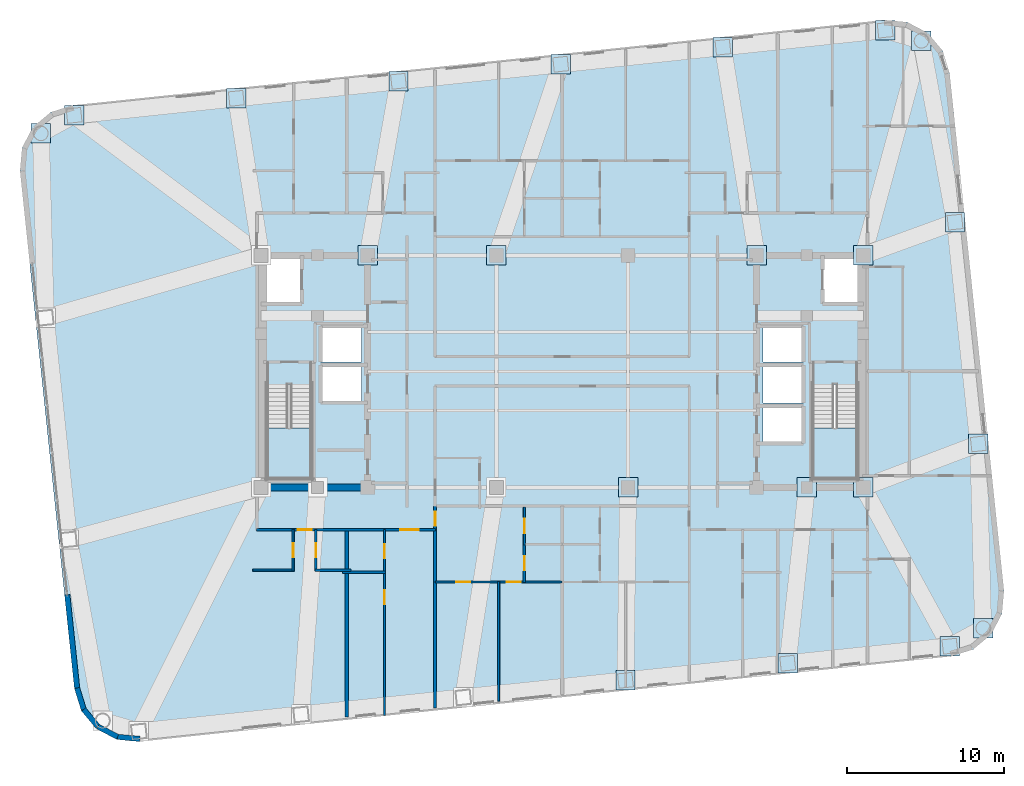
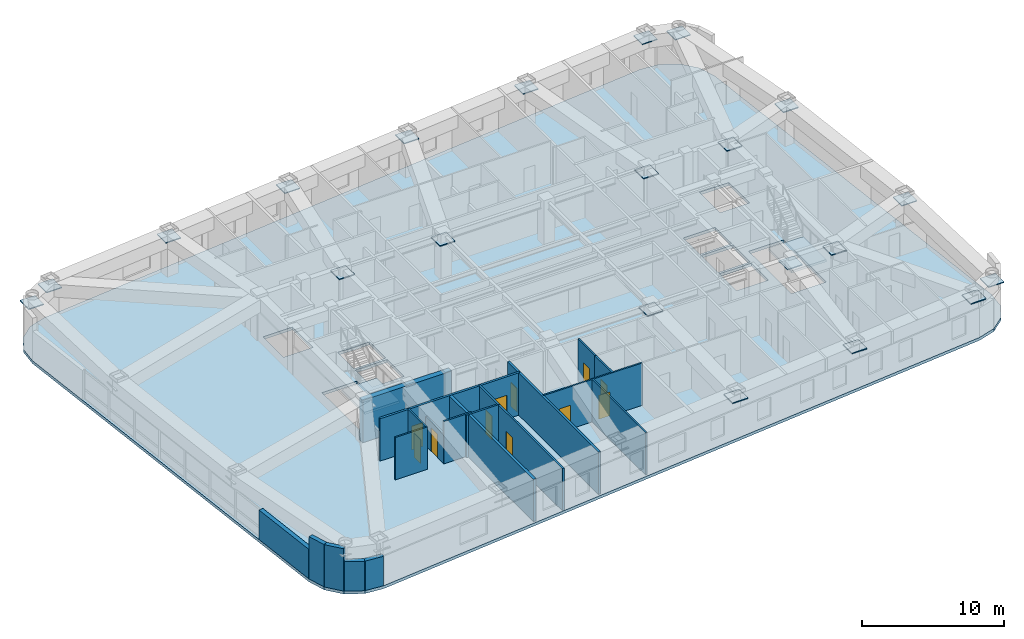
# One storey, part 6 of 14: 21 plates, 20 walls, 11 doors, 3 slabs, 11 openings, 2 elements without a shape of their own.
"""IFC4 building model written with IfcOpenShell, lengths in metres."""

import ifcopenshell
import ifcopenshell.guid

model = None  # the IFC model being written
_history = None  # IfcOwnerHistory: only IFC2X3 demands one
_inside = {}  # id of a spatial element -> (the spatial element, [elements in it])
_under = {}  # id of a project, library or spatial element -> (it, [spatial elements below it])
_declared = {}  # id of a project -> (the project, [libraries it declares])
_typed = {}  # id of a type object -> (the type object, [elements of that type])
_made_of = {}  # id of a material, layer set ... -> (it, [elements and type objects made of it])


def new_model(schema):
    """Start an empty IFC model of exactly this schema.

    Asked for "IFC4X3", IfcOpenShell would pick the latest addendum, in which some entities
    have other attributes; the version numbers below select the first issue.
    IFC2X3 requires an IfcOwnerHistory on every rooted entity: one is made here for all.
    """
    global model, _history
    if schema == "IFC4X3":
        model = ifcopenshell.file(schema_version=(4, 3, 0, 0))
    else:
        model = ifcopenshell.file(schema=schema)
    _inside.clear()
    _under.clear()
    _declared.clear()
    _typed.clear()
    _made_of.clear()
    _history = None
    if model.schema == "IFC2X3":
        org = make("IfcOrganization", Name="unknown")
        user = make(
            "IfcPersonAndOrganization",
            ThePerson=make("IfcPerson", FamilyName="unknown"),
            TheOrganization=org,
        )
        app = make(
            "IfcApplication",
            ApplicationDeveloper=org,
            Version="unknown",
            ApplicationFullName="unknown",
            ApplicationIdentifier="unknown",
        )
        _history = make(
            "IfcOwnerHistory",
            OwningUser=user,
            OwningApplication=app,
            ChangeAction="ADDED",
            CreationDate=0,
        )
    return model


def make(cls, **values):
    """One entity of the class cls with the attributes given. An attribute that is None is left unset."""
    return model.create_entity(
        cls, **{name: value for name, value in values.items() if value is not None}
    )


def rooted(cls, **values):
    """An entity with a GlobalId (a new one), such as an element, a storey or a relation."""
    return make(cls, GlobalId=ifcopenshell.guid.new(), OwnerHistory=_history, **values)


def si_unit(unit_type, name, prefix=None):
    """IfcSIUnit, for example si_unit("LENGTHUNIT", "METRE", prefix="MILLI")."""
    return make("IfcSIUnit", UnitType=unit_type, Prefix=prefix, Name=name)


def assignment(units):
    """IfcUnitAssignment: the units of a project."""
    return None if units is None else make("IfcUnitAssignment", Units=units)


def point(xyz):
    """IfcCartesianPoint."""
    return None if xyz is None else make("IfcCartesianPoint", Coordinates=xyz)


def direction(xyz):
    """IfcDirection."""
    return None if xyz is None else make("IfcDirection", DirectionRatios=xyz)


def frame(location, z_axis=None, x_axis=None):
    """IfcAxis2Placement3D, a coordinate frame: its origin and axes. An axis left out is left unset."""
    return make(
        "IfcAxis2Placement3D",
        Location=point(location),
        Axis=direction(z_axis),
        RefDirection=direction(x_axis),
    )


def frame_2d(location, x_axis=None):
    """IfcAxis2Placement2D, a coordinate frame in the plane: its origin and x axis."""
    return make(
        "IfcAxis2Placement2D", Location=point(location), RefDirection=direction(x_axis)
    )


def origin():
    """The frame at (0, 0, 0) with its axes left unset."""
    return frame((0.0, 0.0, 0.0))


def origin_2d():
    """The frame at (0, 0) in the plane with its x axis left unset."""
    return frame_2d((0.0, 0.0))


def place(relative_to, where):
    """IfcLocalPlacement: puts the frame where relative to a parent placement (None: the world)."""
    return make(
        "IfcLocalPlacement", PlacementRelTo=relative_to, RelativePlacement=where
    )


def context(
    kind, dimensions, precision=None, world=None, true_north=None, identifier=None
):
    """IfcGeometricRepresentationContext, for example the 3D "Model" context."""
    return make(
        "IfcGeometricRepresentationContext",
        ContextIdentifier=identifier,
        ContextType=kind,
        CoordinateSpaceDimension=dimensions,
        Precision=precision,
        WorldCoordinateSystem=world,
        TrueNorth=true_north,
    )


def subcontext(parent, identifier, kind, view, scale=None):
    """IfcGeometricRepresentationSubContext, for example "Body" below "Model"."""
    return make(
        "IfcGeometricRepresentationSubContext",
        ContextIdentifier=identifier,
        ContextType=kind,
        ParentContext=parent,
        TargetScale=scale,
        TargetView=view,
    )


def project(units=None, contexts=None):
    """IfcProject with its units and contexts."""
    return rooted(
        "IfcProject",
        Name="project",
        RepresentationContexts=contexts,
        UnitsInContext=assignment(units),
    )


def spatial(cls, under=None, at=None, **own):
    """A site, building, storey or space (cls), placed at a placement, below another one or the project."""
    s = rooted(cls, ObjectPlacement=at, **own)
    if under is not None:
        _under.setdefault(under.id(), (under, []))[1].append(s)
    return s


def polyline(points):
    """IfcPolyline through the points."""
    return make("IfcPolyline", Points=[point(p) for p in points])


def profile(cls, at=None, kind="AREA", **sizes):
    """A parametric profile (cls). Its sizes go by their IFC names, for example OverallWidth=200.0."""
    return make(cls, ProfileType=kind, Position=at, **sizes)


def rectangle(**sizes):
    """IfcRectangleProfileDef."""
    return profile("IfcRectangleProfileDef", **sizes)


def outline(outer, holes=None, kind="AREA"):
    """IfcArbitraryClosedProfileDef: a profile drawn as a closed curve; with holes, ...WithVoids."""
    if holes is None:
        return make("IfcArbitraryClosedProfileDef", ProfileType=kind, OuterCurve=outer)
    return make(
        "IfcArbitraryProfileDefWithVoids",
        ProfileType=kind,
        OuterCurve=outer,
        InnerCurves=holes,
    )


def extrude(swept, where, along, depth):
    """IfcExtrudedAreaSolid: the profile swept, set in the frame where, extruded along a direction by depth."""
    return make(
        "IfcExtrudedAreaSolid",
        SweptArea=swept,
        Position=where,
        ExtrudedDirection=direction(along),
        Depth=depth,
    )


def shape(context_of_items, identifier, shape_type, items):
    """IfcShapeRepresentation: the items that make up one representation, for example the "Body"."""
    return make(
        "IfcShapeRepresentation",
        ContextOfItems=context_of_items,
        RepresentationIdentifier=identifier,
        RepresentationType=shape_type,
        Items=items,
    )


def material(Name=None, Category=None):
    """IfcMaterial."""
    return make("IfcMaterial", Name=Name, Category=Category)


def layer(
    of_material, thickness, ventilated=None, Name=None, Category=None, Priority=None
):
    """IfcMaterialLayer: one layer of a wall or slab, of a material (None: an air gap)."""
    return make(
        "IfcMaterialLayer",
        Material=of_material,
        LayerThickness=thickness,
        IsVentilated=ventilated,
        Name=Name,
        Category=Category,
        Priority=Priority,
    )


def layer_set(layers, Name=None):
    """IfcMaterialLayerSet."""
    return make("IfcMaterialLayerSet", MaterialLayers=layers, LayerSetName=Name)


def made_of(thing, what):
    """Note that an element or type object is made of a material, layer set ...; save() writes the relation."""
    if what is not None:
        _made_of.setdefault(what.id(), (what, []))[1].append(thing)
    return thing


def type_object(cls, material=None, **own):
    """A type object (cls), such as IfcWallType, which elements share."""
    return made_of(rooted(cls, **own), material)


def element(
    cls,
    number,
    at=None,
    inside=None,
    cuts=None,
    type_object=None,
    material=None,
    context=None,
    identifier="Body",
    shape_type=None,
    held_by="IfcProductDefinitionShape",
    body=None,
    shapes=None,
    **own,
):
    """One element of the class cls, such as IfcWall. Its Tag is "e" and its number.

    at: its placement. inside: the storey or other place that contains it. cuts: it is an
    opening in that element (IfcRelVoidsElement). A single representation is given by context,
    identifier, shape_type and body (its items); several are given by shapes. held_by: the class
    of the entity that holds the representations. save() writes the other relations.
    """
    e = rooted(cls, Tag="e%d" % number, ObjectPlacement=at, **own)
    if body is not None:
        shapes = [shape(context, identifier, shape_type, body)]
    if shapes is not None:
        e.Representation = make(held_by, Representations=shapes)
    if inside is not None:
        _inside.setdefault(inside.id(), (inside, []))[1].append(e)
    if cuts is not None:
        rooted(
            "IfcRelVoidsElement", RelatingBuildingElement=cuts, RelatedOpeningElement=e
        )
    if type_object is not None:
        _typed.setdefault(type_object.id(), (type_object, []))[1].append(e)
    return made_of(e, material)


def fill(opening, filler):
    """IfcRelFillsElement: the door or window that sits in an opening."""
    return rooted(
        "IfcRelFillsElement",
        RelatingOpeningElement=opening,
        RelatedBuildingElement=filler,
    )


def aggregate(whole, parts):
    """IfcRelAggregates: a whole, such as a stair, and the parts it consists of."""
    return rooted("IfcRelAggregates", RelatingObject=whole, RelatedObjects=parts)


def save(model, path):
    """Write the relations noted so far, then the file.

    IfcRelAggregates (storeys below a building ...), IfcRelContainedInSpatialStructure (elements
    in a storey), IfcRelDefinesByType, IfcRelAssociatesMaterial and IfcRelDeclares: one each for
    every whole, place, type object, material and project.
    """
    for whole, parts in _under.values():
        aggregate(whole, parts)
    for where, things in _inside.values():
        rooted(
            "IfcRelContainedInSpatialStructure",
            RelatedElements=things,
            RelatingStructure=where,
        )
    for kind, things in _typed.values():
        rooted("IfcRelDefinesByType", RelatedObjects=things, RelatingType=kind)
    for what, things in _made_of.values():
        rooted("IfcRelAssociatesMaterial", RelatedObjects=things, RelatingMaterial=what)
    for by, libraries in _declared.values():
        rooted("IfcRelDeclares", RelatingContext=by, RelatedDefinitions=libraries)
    model.write(path)


model = new_model("IFC4")

# Units and contexts
model_context = context("Model", 3, precision=1e-05, world=origin(), true_north=direction((0.0, 1.0)))
body_context = subcontext(model_context, "Body", "Model", "MODEL_VIEW")
ifc_project = project(units=[si_unit("LENGTHUNIT", "METRE"), si_unit("AREAUNIT", "SQUARE_METRE"), si_unit("VOLUMEUNIT", "CUBIC_METRE"), si_unit("PLANEANGLEUNIT", "RADIAN"), si_unit("MASSUNIT", "GRAM", prefix="KILO")], contexts=[model_context])

# Site, building, storey
site_placement = place(None, origin())
site = spatial("IfcSite", under=ifc_project, at=site_placement, CompositionType="ELEMENT")
building_placement = place(site_placement, origin())
building = spatial("IfcBuilding", under=site, at=building_placement, Name="Voryun Gate Residences", CompositionType="ELEMENT")
storey_placement = place(building_placement, frame((0.0, 0.0, 144.300048828125)))
storey = spatial("IfcBuildingStorey", under=building, at=storey_placement, Name="L35", CompositionType="ELEMENT", Elevation=144.300048828125)

# Plates
ifc_material_1 = material(Name="Steel SM355", Category="steel")
ifc_layer_1 = layer(ifc_material_1, 0.02490234375, Name="PLT_END_CAP_25")
ifc_layer_set_1 = layer_set([ifc_layer_1], Name="Steel SM355")
plate_type = type_object("IfcPlateType", Name="PLT_END_CAP_25", PredefinedType="USERDEFINED", material=ifc_layer_set_1)
for number, where, z_axis, x_axis, name in (
    (1, (4.035888671875, -19.6982421875, 3.059814453125), (0.0, 0.0, 1.0), (1.0, 0.0, 0.0), "L35 Hollow Member End-Cap Plate EC-501"),
    (2, (14.37890625, -18.611083984375, 3.059814453125), (0.0, 0.0, 1.0), (1.0, 0.0, 0.0), "L35 Hollow Member End-Cap Plate EC-502"),
    (3, (24.721923828125, -17.524169921875, 3.059814453125), (0.0, 0.0, 1.0), (1.0, 0.0, 0.0), "L35 Hollow Member End-Cap Plate EC-503"),
    (4, (26.8408203125, -16.373779296875, 3.059814453125), (0.0, 0.0, 1.0), (1.0, 0.0, 0.0), "L35 Hollow Member End-Cap Plate EC-504"),
    (5, (26.533447265625, -4.6240234375, 3.059814453125), (0.0, 0.0, 1.0), (1.0, 0.0, 0.0), "L35 Hollow Member End-Cap Plate EC-505"),
    (6, (25.047119140625, 9.51806640625, 3.059814453125), (0.0, 0.0, 1.0), (1.0, 0.0, 0.0), "L35 Hollow Member End-Cap Plate EC-506"),
    (7, (22.90478515625, 21.07470703125, 3.059814453125), (0.0, 0.0, 1.0), (1.0, 0.0, 0.0), "L35 Hollow Member End-Cap Plate EC-507"),
    (8, (20.593017578125, 21.759521484375, 3.059814453125), (0.0, 0.0, 1.0), (1.0, 0.0, 0.0), "L35 Hollow Member End-Cap Plate EC-508"),
    (9, (10.25, 20.672607421875, 3.059814453125), (0.0, 0.0, 1.0), (1.0, 0.0, 0.0), "L35 Hollow Member End-Cap Plate EC-509"),
    (10, (-0.093017578125, 19.585205078125, 3.059814453125), (0.0, 0.0, 1.0), (1.0, 0.0, 0.0), "L35 Hollow Member End-Cap Plate EC-510"),
    (11, (-10.43603515625, 18.498291015625, 3.059814453125), (0.0, 0.0, 1.0), (1.0, 0.0, 0.0), "L35 Hollow Member End-Cap Plate EC-511"),
    (12, (-20.779052734375, 17.4111328125, 3.059814453125), (0.0, 0.0, 1.0), (1.0, 0.0, 0.0), "L35 Hollow Member End-Cap Plate EC-512"),
    (13, (-31.1220703125, 16.32421875, 3.059814453125), (0.0, 0.0, 1.0), (1.0, 0.0, 0.0), "L35 Hollow Member End-Cap Plate EC-513"),
    (14, (-33.24072265625, 15.173583984375, 3.059814453125), (0.0, 0.0, 1.0), (1.0, 0.0, 0.0), "L35 Hollow Member End-Cap Plate EC-514"),
    (15, (4.199951171875, -7.39990234375, 3.059814453125), (0.0, 0.0, 1.0), (1.0, 0.0, 0.0), "L35 Hollow Member End-Cap Plate EC-521"),
    (16, (15.60009765625, -7.39990234375, 3.059814453125), (0.0, 0.0, 1.0), (1.0, 0.0, 0.0), "L35 Hollow Member End-Cap Plate EC-522"),
    (17, (19.199951171875, -7.39990234375, 3.059814453125), (0.0, 0.0, 1.0), (1.0, 0.0, 0.0), "L35 Hollow Member End-Cap Plate EC-523"),
    (18, (19.199951171875, 7.39990234375, 3.059814453125), (0.0, 0.0, 1.0), (1.0, 0.0, 0.0), "L35 Hollow Member End-Cap Plate EC-524"),
    (19, (12.39990234375, 7.39990234375, 3.059814453125), (0.0, 0.0, 1.0), (1.0, 0.0, 0.0), "L35 Hollow Member End-Cap Plate EC-525"),
    (20, (-4.199951171875, 7.39990234375, 3.059814453125), (0.0, 0.0, 1.0), (1.0, 0.0, 0.0), "L35 Hollow Member End-Cap Plate EC-526"),
    (21, (-12.39990234375, 7.39990234375, 3.059814453125), (0.0, 0.0, 1.0), (1.0, 0.0, 0.0), "L35 Hollow Member End-Cap Plate EC-527"),
):
    element("IfcPlate", number, at=place(storey_placement, frame(where, z_axis=z_axis, x_axis=x_axis)), inside=storey, type_object=plate_type, Name=name, ObjectType="BASE_PLATE", PredefinedType="USERDEFINED", context=body_context, shape_type="SweptSolid", body=[
        extrude(rectangle(XDim=1.239990234375, YDim=1.239990234375, at=origin_2d()), origin(), (0.0, 0.0, 1.0), 0.080078125),
    ])

# Slab
ifc_material_2 = material(Name="Concrete C40/50", Category="concrete")
ifc_layer_2 = layer(ifc_material_2, 0.25, Name="SLB_RES_250")
ifc_layer_set_2 = layer_set([ifc_layer_2], Name="Concrete C40/50")
slab_type_1 = type_object("IfcSlabType", Name="SLB_RES_250", PredefinedType="FLOOR", material=ifc_layer_set_2)
slab_1_placement = place(storey_placement, frame((0.0, 0.0, -0.25)))
element("IfcSlab", 22, at=slab_1_placement, inside=storey, type_object=slab_type_1, Name="L35 Structural Floor Slab", PredefinedType="FLOOR", context=body_context, shape_type="SweptSolid", body=[
    extrude(outline(polyline([(-26.92529296875, -23.60595703125), (-28.401611328125, -23.47021484375), (-29.7138671875, -22.780029296875), (-30.661865234375, -21.639892578125), (-31.1015625, -20.22412109375), (-34.572021484375, 12.794189453125), (-34.436279296875, 14.2705078125), (-33.745849609375, 15.582763671875), (-32.60595703125, 16.53076171875), (-31.18994140625, 16.970458984375), (20.525146484375, 22.406005859375), (22.001708984375, 22.270263671875), (23.313720703125, 21.580078125), (24.261962890625, 20.43994140625), (24.70166015625, 19.02392578125), (28.171875, -13.994140625), (28.036376953125, -15.470458984375), (27.345947265625, -16.78271484375), (26.2060546875, -17.730712890625), (24.7900390625, -18.17041015625), (-26.92529296875, -23.60595703125)]), holes=[polyline([(-15.97509765625, -6.85009765625), (-15.97509765625, -0.840087890625), (-18.824951171875, -0.840087890625), (-18.824951171875, -6.85009765625), (-15.97509765625, -6.85009765625)]), polyline([(18.824951171875, -6.85009765625), (18.824951171875, -0.840087890625), (15.97509765625, -0.840087890625), (15.97509765625, -6.85009765625), (18.824951171875, -6.85009765625)]), polyline([(15.39990234375, -2.199951171875), (12.800048828125, -2.199951171875), (12.800048828125, -4.60009765625), (15.39990234375, -4.60009765625), (15.39990234375, -2.199951171875)]), polyline([(-12.800048828125, 0.39990234375), (-15.39990234375, 0.39990234375), (-15.39990234375, -2.0), (-12.800048828125, -2.0), (-12.800048828125, 0.39990234375)]), polyline([(15.39990234375, 0.39990234375), (12.800048828125, 0.39990234375), (12.800048828125, -2.0), (15.39990234375, -2.0), (15.39990234375, 0.39990234375)]), polyline([(-12.800048828125, 2.89990234375), (-15.39990234375, 2.89990234375), (-15.39990234375, 0.60009765625), (-12.800048828125, 0.60009765625), (-12.800048828125, 2.89990234375)]), polyline([(15.39990234375, 2.89990234375), (12.800048828125, 2.89990234375), (12.800048828125, 0.60009765625), (15.39990234375, 0.60009765625), (15.39990234375, 2.89990234375)]), polyline([(-16.60009765625, 4.300048828125), (-16.60009765625, 7.199951171875), (-19.0, 7.199951171875), (-19.0, 4.300048828125), (-16.60009765625, 4.300048828125)]), polyline([(19.0, 4.300048828125), (19.0, 7.199951171875), (16.60009765625, 7.199951171875), (16.60009765625, 4.300048828125), (19.0, 4.300048828125)])]), origin(), (0.0, 0.0, 1.0), 0.25),
])

# Stair, slab
ifc_material_3 = material(Name="Concrete C40/50", Category="concrete")
stair_type = type_object("IfcStairType", Name="STR_CORE_DOGLEG_1350", PredefinedType="HALF_TURN_STAIR", material=ifc_material_3)
stair_1_placement = place(storey_placement, origin())
stair_1 = element("IfcStair", 23, at=stair_1_placement, inside=storey, type_object=stair_type, Name="L35 Special Escape Stair ST-W1", PredefinedType="HALF_TURN_STAIR")
ifc_material_4 = material(Name="Concrete C40/50", Category="concrete")
ifc_layer_3 = layer(ifc_material_4, 0.199951171875, Name="SLB_STAIR_LANDING_200")
ifc_layer_set_3 = layer_set([ifc_layer_3], Name="Concrete C40/50")
slab_type_2 = type_object("IfcSlabType", Name="SLB_STAIR_LANDING_200", PredefinedType="LANDING", material=ifc_layer_set_3)
slab_2_placement = place(storey_placement, frame((0.0, 0.0, 1.75)))
slab_2 = element("IfcSlab", 24, at=slab_2_placement, type_object=slab_type_2, Name="ST-W1 landing 1", PredefinedType="LANDING", context=body_context, shape_type="SweptSolid", body=[
    extrude(outline(polyline([(-18.824951171875, -3.60009765625), (-18.824951171875, -6.85009765625), (-15.97509765625, -6.85009765625), (-15.97509765625, -3.60009765625), (-18.824951171875, -3.60009765625)])), origin(), (0.0, 0.0, 1.0), 0.199951171875),
])
aggregate(stair_1, [slab_2])

stair_2_placement = place(storey_placement, origin())
stair_2 = element("IfcStair", 25, at=stair_2_placement, inside=storey, type_object=stair_type, Name="L35 Special Escape Stair ST-E1", PredefinedType="HALF_TURN_STAIR")
slab_3_placement = place(storey_placement, frame((0.0, 0.0, 1.75)))
slab_3 = element("IfcSlab", 26, at=slab_3_placement, type_object=slab_type_2, Name="ST-E1 landing 1", PredefinedType="LANDING", context=body_context, shape_type="SweptSolid", body=[
    extrude(outline(polyline([(15.97509765625, -3.60009765625), (15.97509765625, -6.85009765625), (18.824951171875, -6.85009765625), (18.824951171875, -3.60009765625), (15.97509765625, -3.60009765625)])), origin(), (0.0, 0.0, 1.0), 0.199951171875),
])
aggregate(stair_2, [slab_3])

# Wall
ifc_material_5 = material(Name="Concrete C50/60", Category="concrete")
ifc_layer_4 = layer(ifc_material_5, 0.449951171875, Name="CW_CORE_450")
ifc_layer_set_4 = layer_set([ifc_layer_4], Name="Concrete C50/60")
wall_type_1 = type_object("IfcWallType", Name="CW_CORE_450", PredefinedType="SHEAR", material=ifc_layer_set_4)
wall_1_placement = place(storey_placement, frame((-19.425048828125, -7.39990234375, 0.0), z_axis=(0.0, 0.0, 1.0), x_axis=(1.0, 0.0, 0.0)))
element("IfcWall", 27, at=wall_1_placement, inside=storey, type_object=wall_type_1, Name="L35 Core shear wall CW-L35-WS", PredefinedType="SHEAR", context=body_context, shape_type="SweptSolid", body=[
    extrude(rectangle(XDim=7.25, YDim=0.449951171875, at=frame_2d((3.625, 0.0))), origin(), (0.0, 0.0, 1.0), 3.64990234375),
])

# Wall, openings, doors
ifc_material_6 = material(Name="Gypsum acoustic fireboard")
ifc_layer_5 = layer(ifc_material_6, 0.179931640625, Name="W_CORR_RATED_180")
ifc_layer_set_5 = layer_set([ifc_layer_5], Name="Gypsum acoustic fireboard")
wall_type_2 = type_object("IfcWallType", Name="W_CORR_RATED_180", PredefinedType="PARTITIONING", material=ifc_layer_set_5)
wall_2_placement = place(storey_placement, frame((-19.5, -10.10009765625, 0.0), z_axis=(0.0, 0.0, 1.0), x_axis=(1.0, 0.0, 0.0)))
wall_2 = element("IfcWall", 28, at=wall_2_placement, inside=storey, type_object=wall_type_2, Name="Partition wall WP-L35-SCORR-W", PredefinedType="PARTITIONING", context=body_context, shape_type="SweptSolid", body=[
    extrude(rectangle(XDim=11.419921875, YDim=0.179931640625, at=frame_2d((5.7099609375, 0.0))), origin(), (0.0, 0.0, 1.0), 3.64990234375),
])
opening_1_placement = place(wall_2_placement, frame((2.623046875, 0.0, 0.0)))
opening_1 = element("IfcOpeningElement", 29, at=opening_1_placement, cuts=wall_2, Name="Opening D-INT-2", PredefinedType="OPENING", context=body_context, shape_type="SweptSolid", body=[
    extrude(rectangle(XDim=0.89990234375, YDim=2.050048828125, at=frame_2d((0.449951171875, 1.02490234375))), frame((0.0, 0.099853515625, 0.0), z_axis=(0.0, -1.0, 0.0), x_axis=(1.0, 0.0, 0.0)), (0.0, 0.0, 1.0), 0.199951171875),
])
opening_2_placement = place(wall_2_placement, frame((9.189208984375, 0.0, 0.0)))
opening_2 = element("IfcOpeningElement", 30, at=opening_2_placement, cuts=wall_2, Name="Opening D-UNIT-1", PredefinedType="OPENING", context=body_context, shape_type="SweptSolid", body=[
    extrude(rectangle(XDim=1.14990234375, YDim=2.050048828125, at=frame_2d((0.574951171875, 1.02490234375))), frame((0.0, 0.099853515625, 0.0), z_axis=(0.0, -1.0, 0.0), x_axis=(1.0, 0.0, 0.0)), (0.0, 0.0, 1.0), 0.199951171875),
])
ifc_material_7 = material(Name="Architectural oak veneer")
door_type_1 = type_object("IfcDoorType", Name="DR_INT_BATH_900", OperationType="NOTDEFINED", PredefinedType="DOOR", material=ifc_material_7)
door_1_placement = place(opening_1_placement, origin())
door_1 = element("IfcDoor", 31, at=door_1_placement, inside=storey, type_object=door_type_1, Name="Door DR-L35-SENT-1", OperationType="SINGLE_SWING_RIGHT", OverallHeight=2.050048828125, OverallWidth=0.89990234375, PredefinedType="DOOR", context=body_context, shape_type="SweptSolid", body=[
    extrude(rectangle(XDim=0.89990234375, YDim=2.050048828125, at=frame_2d((0.449951171875, 1.02490234375))), frame((0.0, 0.02490234375, 0.0), z_axis=(0.0, -1.0, 0.0), x_axis=(1.0, 0.0, 0.0)), (0.0, 0.0, 1.0), 0.050048828125),
])
fill(opening_1, door_1)
ifc_material_8 = material(Name="Armoured timber-clad fire door", Category="wood")
door_type_2 = type_object("IfcDoorType", Name="DR_UNIT_ENTRY_1150", OperationType="NOTDEFINED", PredefinedType="DOOR", material=ifc_material_8)
door_2_placement = place(opening_2_placement, origin())
door_2 = element("IfcDoor", 32, at=door_2_placement, inside=storey, type_object=door_type_2, Name="Door DR-L35-SENT-2", OperationType="SINGLE_SWING_LEFT", OverallHeight=2.050048828125, OverallWidth=1.14990234375, PredefinedType="DOOR", context=body_context, shape_type="SweptSolid", body=[
    extrude(rectangle(XDim=1.14990234375, YDim=2.050048828125, at=frame_2d((0.574951171875, 1.02490234375))), frame((0.0, 0.02490234375, 0.0), z_axis=(0.0, -1.0, 0.0), x_axis=(1.0, 0.0, 0.0)), (0.0, 0.0, 1.0), 0.050048828125),
])
fill(opening_2, door_2)

# Wall, opening, door
wall_3_placement = place(storey_placement, frame((-8.10009765625, -21.456298828125, 0.0), z_axis=(0.0, 0.0, 1.0), x_axis=(0.0, 1.0, 0.0)))
wall_3 = element("IfcWall", 33, at=wall_3_placement, inside=storey, type_object=wall_type_2, Name="Partition wall WP-L35-SZV-1", PredefinedType="PARTITIONING", context=body_context, shape_type="SweptSolid", body=[
    extrude(rectangle(XDim=12.8662109375, YDim=0.179931640625, at=frame_2d((6.43310546875, 0.0))), origin(), (0.0, 0.0, 1.0), 3.64990234375),
])
opening_3_placement = place(wall_3_placement, frame((11.6162109375, 0.0, 0.0)))
opening_3 = element("IfcOpeningElement", 34, at=opening_3_placement, cuts=wall_3, Name="Opening D-INT-2", PredefinedType="OPENING", context=body_context, shape_type="SweptSolid", body=[
    extrude(rectangle(XDim=0.89990234375, YDim=2.050048828125, at=frame_2d((0.449951171875, 1.02490234375))), frame((0.0, 0.099853515625, 0.0), z_axis=(0.0, -1.0, 0.0), x_axis=(1.0, 0.0, 0.0)), (0.0, 0.0, 1.0), 0.199951171875),
])
door_3_placement = place(opening_3_placement, origin())
door_3 = element("IfcDoor", 35, at=door_3_placement, inside=storey, type_object=door_type_1, Name="Door DR-L35-SZENT-1", OperationType="SINGLE_SWING_LEFT", OverallHeight=2.050048828125, OverallWidth=0.89990234375, PredefinedType="DOOR", context=body_context, shape_type="SweptSolid", body=[
    extrude(rectangle(XDim=0.89990234375, YDim=2.050048828125, at=frame_2d((0.449951171875, 1.02490234375))), frame((0.0, 0.02490234375, 0.0), z_axis=(0.0, -1.0, 0.0), x_axis=(1.0, 0.0, 0.0)), (0.0, 0.0, 1.0), 0.050048828125),
])
fill(opening_3, door_3)

# Walls
ifc_material_9 = material(Name="Charcoal terracotta masonry", Category="masonry")
ifc_layer_6 = layer(ifc_material_9, 0.340087890625, Name="W_EXT_TERRACOTTA_340")
ifc_layer_set_6 = layer_set([ifc_layer_6], Name="Charcoal terracotta masonry")
wall_type_3 = type_object("IfcWallType", Name="W_EXT_TERRACOTTA_340", PredefinedType="ELEMENTEDWALL", material=ifc_layer_set_6)
wall_4_placement = place(storey_placement, frame((-26.92626953125, -23.435302734375, 0.0), z_axis=(0.0, 0.0, 1.0), x_axis=(-0.995800460351, 0.091550222087, 0.0)))
element("IfcWall", 36, at=wall_4_placement, inside=storey, type_object=wall_type_3, Name="Exterior wall WEXT-L35-02", PredefinedType="ELEMENTEDWALL", context=body_context, shape_type="SweptSolid", body=[
    extrude(rectangle(XDim=1.43212890625, YDim=0.340087890625, at=frame_2d((0.716064453125, 0.0))), origin(), (0.0, 0.0, 1.0), 2.5400390625),
])
wall_5_placement = place(storey_placement, frame((-28.352294921875, -23.30419921875, 0.0), z_axis=(0.0, 0.0, 1.0), x_axis=(-0.884989312682, 0.465611336243, 0.0)))
element("IfcWall", 37, at=wall_5_placement, inside=storey, type_object=wall_type_3, Name="Exterior wall WEXT-L35-03", PredefinedType="ELEMENTEDWALL", context=body_context, shape_type="SweptSolid", body=[
    extrude(rectangle(XDim=1.415283203125, YDim=0.340087890625, at=frame_2d((0.70751953125, 0.0))), origin(), (0.0, 0.0, 1.0), 2.5400390625),
])
wall_6_placement = place(storey_placement, frame((-29.604736328125, -22.645263671875, 0.0), z_axis=(0.0, 0.0, 1.0), x_axis=(-0.639437361921, 0.768843196093, 0.0)))
element("IfcWall", 38, at=wall_6_placement, inside=storey, type_object=wall_type_3, Name="Exterior wall WEXT-L35-04", PredefinedType="ELEMENTEDWALL", context=body_context, shape_type="SweptSolid", body=[
    extrude(rectangle(XDim=1.4150390625, YDim=0.340087890625, at=frame_2d((0.70751953125, 0.0))), origin(), (0.0, 0.0, 1.0), 3.64990234375),
])
wall_7_placement = place(storey_placement, frame((-30.509521484375, -21.557373046875, 0.0), z_axis=(0.0, 0.0, 1.0), x_axis=(-0.296624409546, 0.9549942197, 0.0)))
element("IfcWall", 39, at=wall_7_placement, inside=storey, type_object=wall_type_3, Name="Exterior wall WEXT-L35-05", PredefinedType="ELEMENTEDWALL", context=body_context, shape_type="SweptSolid", body=[
    extrude(rectangle(XDim=1.43212890625, YDim=0.340087890625, at=frame_2d((0.716064453125, 0.0))), origin(), (0.0, 0.0, 1.0), 3.64990234375),
])
wall_8_placement = place(storey_placement, frame((-30.934326171875, -20.189697265625, 0.0), z_axis=(0.0, 0.0, 1.0), x_axis=(-0.104523002937, 0.994522469257, 0.0)))
element("IfcWall", 40, at=wall_8_placement, inside=storey, type_object=wall_type_3, Name="Exterior wall WEXT-L35-06A", PredefinedType="ELEMENTEDWALL", context=body_context, shape_type="SweptSolid", body=[
    extrude(rectangle(XDim=5.97021484375, YDim=0.340087890625, at=frame_2d((2.985107421875, 0.0))), origin(), (0.0, 0.0, 1.0), 2.5400390625),
])
ifc_material_10 = material(Name="Concrete C40/50", Category="concrete")
ifc_layer_7 = layer(ifc_material_10, 0.219970703125, Name="W_PARTY_ACOUSTIC_220")
ifc_layer_set_7 = layer_set([ifc_layer_7], Name="Concrete C40/50")
wall_type_4 = type_object("IfcWallType", Name="W_PARTY_ACOUSTIC_220", PredefinedType="PARTITIONING", material=ifc_layer_set_7)
wall_9_placement = place(storey_placement, frame((-13.739990234375, -22.04931640625, 0.0), z_axis=(0.0, 0.0, 1.0), x_axis=(0.0, 1.0, 0.0)))
element("IfcWall", 41, at=wall_9_placement, inside=storey, type_object=wall_type_4, Name="Partition wall WP-L35-SPTY-1", PredefinedType="PARTITIONING", context=body_context, shape_type="SweptSolid", body=[
    extrude(rectangle(XDim=12.029296875, YDim=0.219970703125, at=frame_2d((6.0146484375, 0.0))), origin(), (0.0, 0.0, 1.0), 3.64990234375),
])

# Wall, opening, door
ifc_material_11 = material(Name="Gypsum acoustic partition")
ifc_layer_8 = layer(ifc_material_11, 0.125, Name="W_UNIT_PART_125")
ifc_layer_set_8 = layer_set([ifc_layer_8], Name="Gypsum acoustic partition")
wall_type_5 = type_object("IfcWallType", Name="W_UNIT_PART_125", PredefinedType="PARTITIONING", material=ifc_layer_set_8)
wall_10_placement = place(storey_placement, frame((-17.14990234375, -12.72998046875, 0.0), z_axis=(0.0, 0.0, 1.0), x_axis=(0.0, 1.0, 0.0)))
wall_10 = element("IfcWall", 42, at=wall_10_placement, inside=storey, type_object=wall_type_5, Name="Partition wall WP-L35-S1-CVK", PredefinedType="PARTITIONING", context=body_context, shape_type="SweptSolid", body=[
    extrude(rectangle(XDim=2.64990234375, YDim=0.125, at=frame_2d((1.324951171875, 0.0))), origin(), (0.0, 0.0, 1.0), 3.64990234375),
])
opening_4_placement = place(wall_10_placement, frame((0.875, 0.0, 0.0)))
opening_4 = element("IfcOpeningElement", 43, at=opening_4_placement, cuts=wall_10, Name="Opening D-INT-2", PredefinedType="OPENING", context=body_context, shape_type="SweptSolid", body=[
    extrude(rectangle(XDim=0.89990234375, YDim=2.050048828125, at=frame_2d((0.449951171875, 1.02490234375))), frame((0.0, 0.072509765625, 0.0), z_axis=(0.0, -1.0, 0.0), x_axis=(1.0, 0.0, 0.0)), (0.0, 0.0, 1.0), 0.14501953125),
])
door_4_placement = place(opening_4_placement, origin())
door_4 = element("IfcDoor", 44, at=door_4_placement, inside=storey, type_object=door_type_1, Name="Door DR-L35-S1-DK", OperationType="SINGLE_SWING_LEFT", OverallHeight=2.050048828125, OverallWidth=0.89990234375, PredefinedType="DOOR", context=body_context, shape_type="SweptSolid", body=[
    extrude(rectangle(XDim=0.89990234375, YDim=2.050048828125, at=frame_2d((0.449951171875, 1.02490234375))), frame((0.0, 0.02490234375, 0.0), z_axis=(0.0, -1.0, 0.0), x_axis=(1.0, 0.0, 0.0)), (0.0, 0.0, 1.0), 0.050048828125),
])
fill(opening_4, door_4)

# Wall
wall_11_placement = place(storey_placement, frame((-19.719970703125, -12.669921875, 0.0), z_axis=(0.0, 0.0, 1.0), x_axis=(1.0, 0.0, 0.0)))
element("IfcWall", 45, at=wall_11_placement, inside=storey, type_object=wall_type_5, Name="Partition wall WP-L35-S1-CHK", PredefinedType="PARTITIONING", context=body_context, shape_type="SweptSolid", body=[
    extrude(rectangle(XDim=2.6298828125, YDim=0.125, at=frame_2d((1.31494140625, 0.0))), origin(), (0.0, 0.0, 1.0), 3.64990234375),
])

# Wall, openings, doors
wall_12_placement = place(storey_placement, frame((-8.080078125, -13.429931640625, 0.0), z_axis=(0.0, 0.0, 1.0), x_axis=(1.0, 0.0, 0.0)))
wall_12 = element("IfcWall", 46, at=wall_12_placement, inside=storey, type_object=wall_type_5, Name="Partition wall WP-L35-SC1-HZ", PredefinedType="PARTITIONING", context=body_context, shape_type="SweptSolid", body=[
    extrude(rectangle(XDim=8.06005859375, YDim=0.125, at=frame_2d((4.030029296875, 0.0))), origin(), (0.0, 0.0, 1.0), 3.64990234375),
])
opening_5_placement = place(wall_12_placement, frame((1.3232421875, 0.0, 0.0)))
opening_5 = element("IfcOpeningElement", 47, at=opening_5_placement, cuts=wall_12, Name="Opening D-INT-2", PredefinedType="OPENING", context=body_context, shape_type="SweptSolid", body=[
    extrude(rectangle(XDim=0.89990234375, YDim=2.050048828125, at=frame_2d((0.449951171875, 1.02490234375))), frame((0.0, 0.072509765625, 0.0), z_axis=(0.0, -1.0, 0.0), x_axis=(1.0, 0.0, 0.0)), (0.0, 0.0, 1.0), 0.14501953125),
])
opening_6_placement = place(wall_12_placement, frame((4.547119140625, 0.0, 0.0)))
opening_6 = element("IfcOpeningElement", 48, at=opening_6_placement, cuts=wall_12, Name="Opening D-INT-2", PredefinedType="OPENING", context=body_context, shape_type="SweptSolid", body=[
    extrude(rectangle(XDim=0.89990234375, YDim=2.050048828125, at=frame_2d((0.449951171875, 1.02490234375))), frame((0.0, 0.072509765625, 0.0), z_axis=(0.0, -1.0, 0.0), x_axis=(1.0, 0.0, 0.0)), (0.0, 0.0, 1.0), 0.14501953125),
])
door_5_placement = place(opening_5_placement, origin())
door_5 = element("IfcDoor", 49, at=door_5_placement, inside=storey, type_object=door_type_1, Name="Door DR-L35-SC1-DMB", OperationType="SINGLE_SWING_LEFT", OverallHeight=2.050048828125, OverallWidth=0.89990234375, PredefinedType="DOOR", context=body_context, shape_type="SweptSolid", body=[
    extrude(rectangle(XDim=0.89990234375, YDim=2.050048828125, at=frame_2d((0.449951171875, 1.02490234375))), frame((0.0, 0.02490234375, 0.0), z_axis=(0.0, -1.0, 0.0), x_axis=(1.0, 0.0, 0.0)), (0.0, 0.0, 1.0), 0.050048828125),
])
fill(opening_5, door_5)
door_6_placement = place(opening_6_placement, origin())
door_6 = element("IfcDoor", 50, at=door_6_placement, inside=storey, type_object=door_type_1, Name="Door DR-L35-SC1-DBD2", OperationType="SINGLE_SWING_RIGHT", OverallHeight=2.050048828125, OverallWidth=0.89990234375, PredefinedType="DOOR", context=body_context, shape_type="SweptSolid", body=[
    extrude(rectangle(XDim=0.89990234375, YDim=2.050048828125, at=frame_2d((0.449951171875, 1.02490234375))), frame((0.0, 0.02490234375, 0.0), z_axis=(0.0, -1.0, 0.0), x_axis=(1.0, 0.0, 0.0)), (0.0, 0.0, 1.0), 0.050048828125),
])
fill(opening_6, door_6)

# Wall, opening, door
wall_13_placement = place(storey_placement, frame((-2.409912109375, -11.06005859375, 0.0), z_axis=(0.0, 0.0, 1.0), x_axis=(0.0, 1.0, 0.0)))
wall_13 = element("IfcWall", 51, at=wall_13_placement, inside=storey, type_object=wall_type_5, Name="Partition wall WP-L35-SC1-VK1", PredefinedType="PARTITIONING", context=body_context, shape_type="SweptSolid", body=[
    extrude(rectangle(XDim=2.41015625, YDim=0.125, at=frame_2d((1.205078125, 0.0))), origin(), (0.0, 0.0, 1.0), 3.64990234375),
])
opening_7_placement = place(wall_13_placement, frame((0.7548828125, 0.0, 0.0)))
opening_7 = element("IfcOpeningElement", 52, at=opening_7_placement, cuts=wall_13, Name="Opening D-INT-2", PredefinedType="OPENING", context=body_context, shape_type="SweptSolid", body=[
    extrude(rectangle(XDim=0.89990234375, YDim=2.050048828125, at=frame_2d((0.449951171875, 1.02490234375))), frame((0.0, 0.072509765625, 0.0), z_axis=(0.0, -1.0, 0.0), x_axis=(1.0, 0.0, 0.0)), (0.0, 0.0, 1.0), 0.14501953125),
])
door_7_placement = place(opening_7_placement, origin())
door_7 = element("IfcDoor", 53, at=door_7_placement, inside=storey, type_object=door_type_1, Name="Door DR-L35-SC1-DK", OperationType="SINGLE_SWING_LEFT", OverallHeight=2.050048828125, OverallWidth=0.89990234375, PredefinedType="DOOR", context=body_context, shape_type="SweptSolid", body=[
    extrude(rectangle(XDim=0.89990234375, YDim=2.050048828125, at=frame_2d((0.449951171875, 1.02490234375))), frame((0.0, 0.02490234375, 0.0), z_axis=(0.0, -1.0, 0.0), x_axis=(1.0, 0.0, 0.0)), (0.0, 0.0, 1.0), 0.050048828125),
])
fill(opening_7, door_7)

# Wall
wall_14_placement = place(storey_placement, frame((-4.050048828125, -21.03076171875, 0.0), z_axis=(0.0, 0.0, 1.0), x_axis=(0.0, 1.0, 0.0)))
element("IfcWall", 54, at=wall_14_placement, inside=storey, type_object=wall_type_5, Name="Partition wall WP-L35-SC1-VBD", PredefinedType="PARTITIONING", context=body_context, shape_type="SweptSolid", body=[
    extrude(rectangle(XDim=7.640869140625, YDim=0.125, at=frame_2d((3.8203125, 0.0))), origin(), (0.0, 0.0, 1.0), 3.64990234375),
])

# Wall, opening, door
ifc_material_12 = material(Name="Gypsum moisture-resistant partition")
ifc_layer_9 = layer(ifc_material_12, 0.14990234375, Name="W_WET_PLUMB_150")
ifc_layer_set_9 = layer_set([ifc_layer_9], Name="Gypsum moisture-resistant partition")
wall_type_6 = type_object("IfcWallType", Name="W_WET_PLUMB_150", PredefinedType="PLUMBINGWALL", material=ifc_layer_set_9)
wall_15_placement = place(storey_placement, frame((-15.7041015625, -12.72998046875, 0.0), z_axis=(0.0, 0.0, 1.0), x_axis=(0.0, 1.0, 0.0)))
wall_15 = element("IfcWall", 55, at=wall_15_placement, inside=storey, type_object=wall_type_6, Name="Partition wall WP-L35-S1-CVB", PredefinedType="PLUMBINGWALL", context=body_context, shape_type="SweptSolid", body=[
    extrude(rectangle(XDim=2.64990234375, YDim=0.14990234375, at=frame_2d((1.324951171875, 0.0))), origin(), (0.0, 0.0, 1.0), 2.5400390625),
])
opening_8_placement = place(wall_15_placement, frame((0.875, 0.0, 0.0)))
opening_8 = element("IfcOpeningElement", 56, at=opening_8_placement, cuts=wall_15, Name="Opening D-INT-2", PredefinedType="OPENING", context=body_context, shape_type="SweptSolid", body=[
    extrude(rectangle(XDim=0.89990234375, YDim=2.050048828125, at=frame_2d((0.449951171875, 1.02490234375))), frame((0.0, 0.0849609375, 0.0), z_axis=(0.0, -1.0, 0.0), x_axis=(1.0, 0.0, 0.0)), (0.0, 0.0, 1.0), 0.169921875),
])
door_8_placement = place(opening_8_placement, origin())
door_8 = element("IfcDoor", 57, at=door_8_placement, inside=storey, type_object=door_type_1, Name="Door DR-L35-S1-DB", OperationType="SINGLE_SWING_RIGHT", OverallHeight=2.050048828125, OverallWidth=0.89990234375, PredefinedType="DOOR", context=body_context, shape_type="SweptSolid", body=[
    extrude(rectangle(XDim=0.89990234375, YDim=2.050048828125, at=frame_2d((0.449951171875, 1.02490234375))), frame((0.0, 0.02490234375, 0.0), z_axis=(0.0, -1.0, 0.0), x_axis=(1.0, 0.0, 0.0)), (0.0, 0.0, 1.0), 0.050048828125),
])
fill(opening_8, door_8)

# Walls
wall_16_placement = place(storey_placement, frame((-15.763916015625, -12.669921875, 0.0), z_axis=(0.0, 0.0, 1.0), x_axis=(1.0, 0.0, 0.0)))
element("IfcWall", 58, at=wall_16_placement, inside=storey, type_object=wall_type_6, Name="Partition wall WP-L35-S1-CHB", PredefinedType="PLUMBINGWALL", context=body_context, shape_type="SweptSolid", body=[
    extrude(rectangle(XDim=2.283935546875, YDim=0.14990234375, at=frame_2d((1.14208984375, 0.0))), origin(), (0.0, 0.0, 1.0), 3.64990234375),
])
wall_17_placement = place(storey_placement, frame((-14.0, -12.800048828125, 0.0), z_axis=(0.0, 0.0, 1.0), x_axis=(1.0, 0.0, 0.0)))
element("IfcWall", 59, at=wall_17_placement, inside=storey, type_object=wall_type_6, Name="Partition wall WP-L35-S2-SKB", PredefinedType="PLUMBINGWALL", context=body_context, shape_type="SweptSolid", body=[
    extrude(rectangle(XDim=2.7490234375, YDim=0.14990234375, at=frame_2d((1.37451171875, 0.0))), origin(), (0.0, 0.0, 1.0), 3.64990234375),
])

# Wall, opening, door
wall_18_placement = place(storey_placement, frame((-11.3310546875, -21.947021484375, 0.0), z_axis=(0.0, 0.0, 1.0), x_axis=(0.0, 1.0, 0.0)))
wall_18 = element("IfcWall", 60, at=wall_18_placement, inside=storey, type_object=wall_type_6, Name="Partition wall WP-L35-S2-SVT1", PredefinedType="PLUMBINGWALL", context=body_context, shape_type="SweptSolid", body=[
    extrude(rectangle(XDim=9.18701171875, YDim=0.14990234375, at=frame_2d((4.593505859375, 0.0))), origin(), (0.0, 0.0, 1.0), 3.64990234375),
])
opening_9_placement = place(wall_18_placement, frame((7.083251953125, 0.0, 0.0)))
opening_9 = element("IfcOpeningElement", 61, at=opening_9_placement, cuts=wall_18, Name="Opening D-INT-2", PredefinedType="OPENING", context=body_context, shape_type="SweptSolid", body=[
    extrude(rectangle(XDim=0.89990234375, YDim=2.050048828125, at=frame_2d((0.449951171875, 1.02490234375))), frame((0.0, 0.0849609375, 0.0), z_axis=(0.0, -1.0, 0.0), x_axis=(1.0, 0.0, 0.0)), (0.0, 0.0, 1.0), 0.169921875),
])
door_9_placement = place(opening_9_placement, origin())
door_9 = element("IfcDoor", 62, at=door_9_placement, inside=storey, type_object=door_type_1, Name="Door DR-L35-S2-DK", OperationType="SINGLE_SWING_LEFT", OverallHeight=2.050048828125, OverallWidth=0.89990234375, PredefinedType="DOOR", context=body_context, shape_type="SweptSolid", body=[
    extrude(rectangle(XDim=0.89990234375, YDim=2.050048828125, at=frame_2d((0.449951171875, 1.02490234375))), frame((0.0, 0.02490234375, 0.0), z_axis=(0.0, -1.0, 0.0), x_axis=(1.0, 0.0, 0.0)), (0.0, 0.0, 1.0), 0.050048828125),
])
fill(opening_9, door_9)

wall_19_placement = place(storey_placement, frame((-11.3310546875, -12.840087890625, 0.0), z_axis=(0.0, 0.0, 1.0), x_axis=(0.0, 1.0, 0.0)))
wall_19 = element("IfcWall", 63, at=wall_19_placement, inside=storey, type_object=wall_type_6, Name="Partition wall WP-L35-S2-SVT2", PredefinedType="PLUMBINGWALL", context=body_context, shape_type="SweptSolid", body=[
    extrude(rectangle(XDim=2.760009765625, YDim=0.14990234375, at=frame_2d((1.3798828125, 0.0))), origin(), (0.0, 0.0, 1.0), 3.64990234375),
])
opening_10_placement = place(wall_19_placement, frame((0.929931640625, 0.0, 0.0)))
opening_10 = element("IfcOpeningElement", 64, at=opening_10_placement, cuts=wall_19, Name="Opening D-INT-2", PredefinedType="OPENING", context=body_context, shape_type="SweptSolid", body=[
    extrude(rectangle(XDim=0.89990234375, YDim=2.050048828125, at=frame_2d((0.449951171875, 1.02490234375))), frame((0.0, 0.0849609375, 0.0), z_axis=(0.0, -1.0, 0.0), x_axis=(1.0, 0.0, 0.0)), (0.0, 0.0, 1.0), 0.169921875),
])
door_10_placement = place(opening_10_placement, origin())
door_10 = element("IfcDoor", 65, at=door_10_placement, inside=storey, type_object=door_type_1, Name="Door DR-L35-S2-DB", OperationType="SINGLE_SWING_RIGHT", OverallHeight=2.050048828125, OverallWidth=0.89990234375, PredefinedType="DOOR", context=body_context, shape_type="SweptSolid", body=[
    extrude(rectangle(XDim=0.89990234375, YDim=2.050048828125, at=frame_2d((0.449951171875, 1.02490234375))), frame((0.0, 0.02490234375, 0.0), z_axis=(0.0, -1.0, 0.0), x_axis=(1.0, 0.0, 0.0)), (0.0, 0.0, 1.0), 0.050048828125),
])
fill(opening_10, door_10)

wall_20_placement = place(storey_placement, frame((-2.409912109375, -13.469970703125, 0.0), z_axis=(0.0, 0.0, 1.0), x_axis=(0.0, 1.0, 0.0)))
wall_20 = element("IfcWall", 66, at=wall_20_placement, inside=storey, type_object=wall_type_6, Name="Partition wall WP-L35-SC1-VK2", PredefinedType="PLUMBINGWALL", context=body_context, shape_type="SweptSolid", body=[
    extrude(rectangle(XDim=2.469970703125, YDim=0.14990234375, at=frame_2d((1.23486328125, 0.0))), origin(), (0.0, 0.0, 1.0), 3.64990234375),
])
opening_11_placement = place(wall_20_placement, frame((0.784912109375, 0.0, 0.0)))
opening_11 = element("IfcOpeningElement", 67, at=opening_11_placement, cuts=wall_20, Name="Opening D-INT-2", PredefinedType="OPENING", context=body_context, shape_type="SweptSolid", body=[
    extrude(rectangle(XDim=0.89990234375, YDim=2.050048828125, at=frame_2d((0.449951171875, 1.02490234375))), frame((0.0, 0.0849609375, 0.0), z_axis=(0.0, -1.0, 0.0), x_axis=(1.0, 0.0, 0.0)), (0.0, 0.0, 1.0), 0.169921875),
])
door_11_placement = place(opening_11_placement, origin())
door_11 = element("IfcDoor", 68, at=door_11_placement, inside=storey, type_object=door_type_1, Name="Door DR-L35-SC1-DB", OperationType="SINGLE_SWING_RIGHT", OverallHeight=2.050048828125, OverallWidth=0.89990234375, PredefinedType="DOOR", context=body_context, shape_type="SweptSolid", body=[
    extrude(rectangle(XDim=0.89990234375, YDim=2.050048828125, at=frame_2d((0.449951171875, 1.02490234375))), frame((0.0, 0.02490234375, 0.0), z_axis=(0.0, -1.0, 0.0), x_axis=(1.0, 0.0, 0.0)), (0.0, 0.0, 1.0), 0.050048828125),
])
fill(opening_11, door_11)

save(model, "model.ifc")
